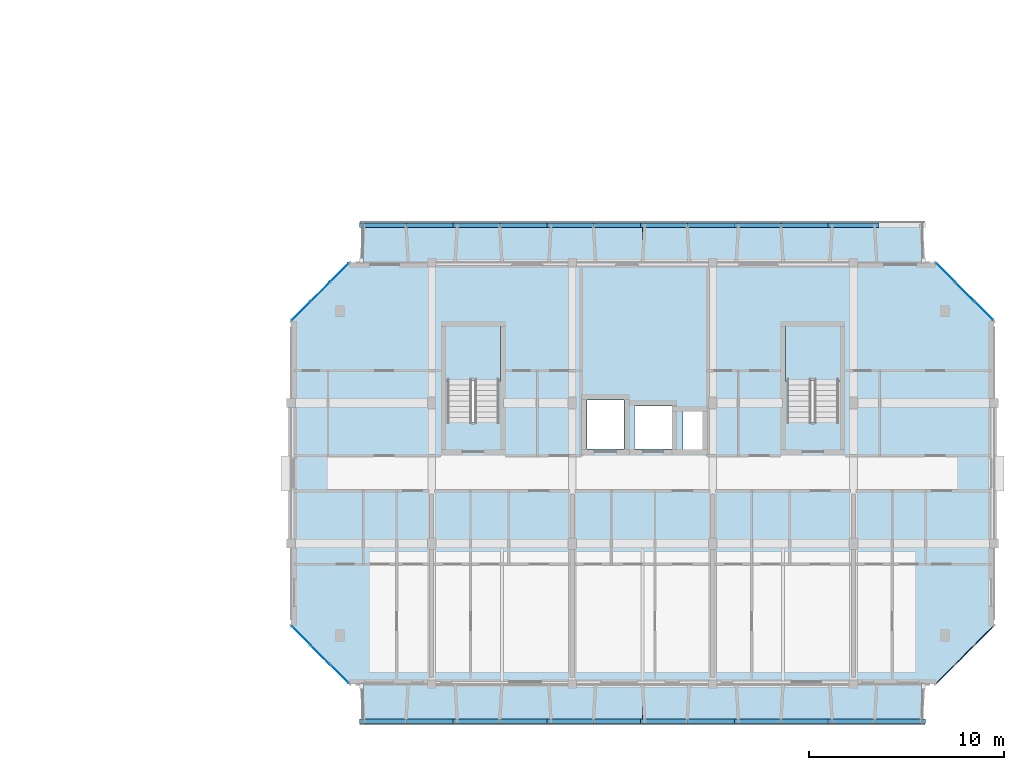
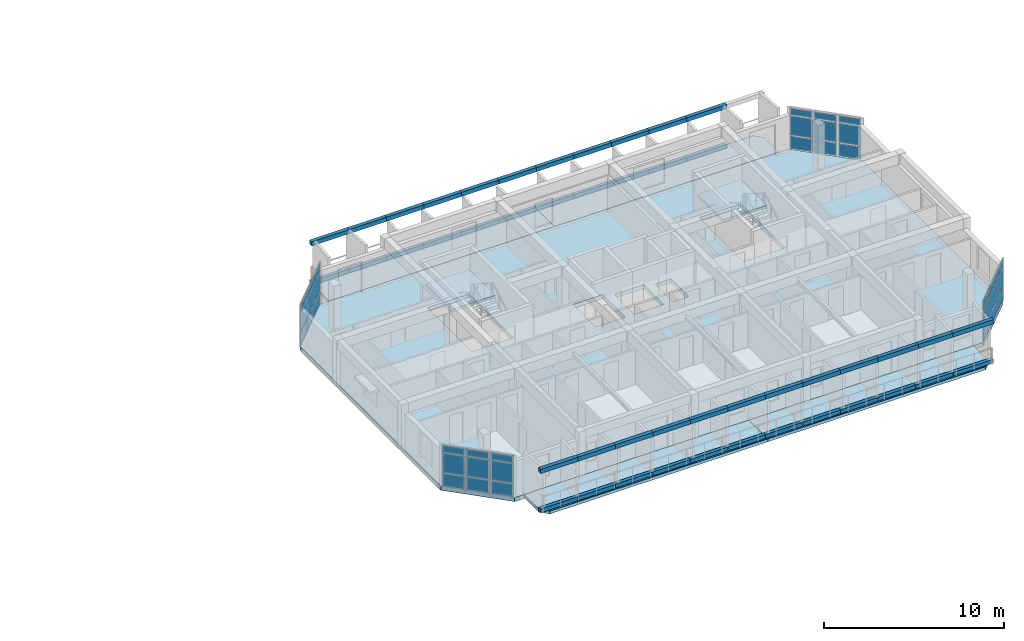
# One storey, part 10 of 31: 82 plates, 7 slabs, 6 elements without a shape of their own.
"""IFC4 building model written with IfcOpenShell, lengths in metres."""

import ifcopenshell
import ifcopenshell.guid

model = None  # the IFC model being written
_history = None  # IfcOwnerHistory: only IFC2X3 demands one
_inside = {}  # id of a spatial element -> (the spatial element, [elements in it])
_under = {}  # id of a project, library or spatial element -> (it, [spatial elements below it])
_declared = {}  # id of a project -> (the project, [libraries it declares])
_typed = {}  # id of a type object -> (the type object, [elements of that type])
_made_of = {}  # id of a material, layer set ... -> (it, [elements and type objects made of it])


def new_model(schema):
    """Start an empty IFC model of exactly this schema.

    Asked for "IFC4X3", IfcOpenShell would pick the latest addendum, in which some entities
    have other attributes; the version numbers below select the first issue.
    IFC2X3 requires an IfcOwnerHistory on every rooted entity: one is made here for all.
    """
    global model, _history
    if schema == "IFC4X3":
        model = ifcopenshell.file(schema_version=(4, 3, 0, 0))
    else:
        model = ifcopenshell.file(schema=schema)
    _inside.clear()
    _under.clear()
    _declared.clear()
    _typed.clear()
    _made_of.clear()
    _history = None
    if model.schema == "IFC2X3":
        org = make("IfcOrganization", Name="unknown")
        user = make(
            "IfcPersonAndOrganization",
            ThePerson=make("IfcPerson", FamilyName="unknown"),
            TheOrganization=org,
        )
        app = make(
            "IfcApplication",
            ApplicationDeveloper=org,
            Version="unknown",
            ApplicationFullName="unknown",
            ApplicationIdentifier="unknown",
        )
        _history = make(
            "IfcOwnerHistory",
            OwningUser=user,
            OwningApplication=app,
            ChangeAction="ADDED",
            CreationDate=0,
        )
    return model


def make(cls, **values):
    """One entity of the class cls with the attributes given. An attribute that is None is left unset."""
    return model.create_entity(
        cls, **{name: value for name, value in values.items() if value is not None}
    )


def rooted(cls, **values):
    """An entity with a GlobalId (a new one), such as an element, a storey or a relation."""
    return make(cls, GlobalId=ifcopenshell.guid.new(), OwnerHistory=_history, **values)


def si_unit(unit_type, name, prefix=None):
    """IfcSIUnit, for example si_unit("LENGTHUNIT", "METRE", prefix="MILLI")."""
    return make("IfcSIUnit", UnitType=unit_type, Prefix=prefix, Name=name)


def assignment(units):
    """IfcUnitAssignment: the units of a project."""
    return None if units is None else make("IfcUnitAssignment", Units=units)


def point(xyz):
    """IfcCartesianPoint."""
    return None if xyz is None else make("IfcCartesianPoint", Coordinates=xyz)


def direction(xyz):
    """IfcDirection."""
    return None if xyz is None else make("IfcDirection", DirectionRatios=xyz)


def frame(location, z_axis=None, x_axis=None):
    """IfcAxis2Placement3D, a coordinate frame: its origin and axes. An axis left out is left unset."""
    return make(
        "IfcAxis2Placement3D",
        Location=point(location),
        Axis=direction(z_axis),
        RefDirection=direction(x_axis),
    )


def frame_2d(location, x_axis=None):
    """IfcAxis2Placement2D, a coordinate frame in the plane: its origin and x axis."""
    return make(
        "IfcAxis2Placement2D", Location=point(location), RefDirection=direction(x_axis)
    )


def origin():
    """The frame at (0, 0, 0) with its axes left unset."""
    return frame((0.0, 0.0, 0.0))


def origin_2d():
    """The frame at (0, 0) in the plane with its x axis left unset."""
    return frame_2d((0.0, 0.0))


def place(relative_to, where):
    """IfcLocalPlacement: puts the frame where relative to a parent placement (None: the world)."""
    return make(
        "IfcLocalPlacement", PlacementRelTo=relative_to, RelativePlacement=where
    )


def context(
    kind, dimensions, precision=None, world=None, true_north=None, identifier=None
):
    """IfcGeometricRepresentationContext, for example the 3D "Model" context."""
    return make(
        "IfcGeometricRepresentationContext",
        ContextIdentifier=identifier,
        ContextType=kind,
        CoordinateSpaceDimension=dimensions,
        Precision=precision,
        WorldCoordinateSystem=world,
        TrueNorth=true_north,
    )


def subcontext(parent, identifier, kind, view, scale=None):
    """IfcGeometricRepresentationSubContext, for example "Body" below "Model"."""
    return make(
        "IfcGeometricRepresentationSubContext",
        ContextIdentifier=identifier,
        ContextType=kind,
        ParentContext=parent,
        TargetScale=scale,
        TargetView=view,
    )


def project(units=None, contexts=None):
    """IfcProject with its units and contexts."""
    return rooted(
        "IfcProject",
        Name="project",
        RepresentationContexts=contexts,
        UnitsInContext=assignment(units),
    )


def spatial(cls, under=None, at=None, **own):
    """A site, building, storey or space (cls), placed at a placement, below another one or the project."""
    s = rooted(cls, ObjectPlacement=at, **own)
    if under is not None:
        _under.setdefault(under.id(), (under, []))[1].append(s)
    return s


def polyline(points):
    """IfcPolyline through the points."""
    return make("IfcPolyline", Points=[point(p) for p in points])


def profile(cls, at=None, kind="AREA", **sizes):
    """A parametric profile (cls). Its sizes go by their IFC names, for example OverallWidth=200.0."""
    return make(cls, ProfileType=kind, Position=at, **sizes)


def rectangle(**sizes):
    """IfcRectangleProfileDef."""
    return profile("IfcRectangleProfileDef", **sizes)


def outline(outer, holes=None, kind="AREA"):
    """IfcArbitraryClosedProfileDef: a profile drawn as a closed curve; with holes, ...WithVoids."""
    if holes is None:
        return make("IfcArbitraryClosedProfileDef", ProfileType=kind, OuterCurve=outer)
    return make(
        "IfcArbitraryProfileDefWithVoids",
        ProfileType=kind,
        OuterCurve=outer,
        InnerCurves=holes,
    )


def extrude(swept, where, along, depth):
    """IfcExtrudedAreaSolid: the profile swept, set in the frame where, extruded along a direction by depth."""
    return make(
        "IfcExtrudedAreaSolid",
        SweptArea=swept,
        Position=where,
        ExtrudedDirection=direction(along),
        Depth=depth,
    )


def shape(context_of_items, identifier, shape_type, items):
    """IfcShapeRepresentation: the items that make up one representation, for example the "Body"."""
    return make(
        "IfcShapeRepresentation",
        ContextOfItems=context_of_items,
        RepresentationIdentifier=identifier,
        RepresentationType=shape_type,
        Items=items,
    )


def material(Name=None, Category=None):
    """IfcMaterial."""
    return make("IfcMaterial", Name=Name, Category=Category)


def layer(
    of_material, thickness, ventilated=None, Name=None, Category=None, Priority=None
):
    """IfcMaterialLayer: one layer of a wall or slab, of a material (None: an air gap)."""
    return make(
        "IfcMaterialLayer",
        Material=of_material,
        LayerThickness=thickness,
        IsVentilated=ventilated,
        Name=Name,
        Category=Category,
        Priority=Priority,
    )


def layer_set(layers, Name=None):
    """IfcMaterialLayerSet."""
    return make("IfcMaterialLayerSet", MaterialLayers=layers, LayerSetName=Name)


def made_of(thing, what):
    """Note that an element or type object is made of a material, layer set ...; save() writes the relation."""
    if what is not None:
        _made_of.setdefault(what.id(), (what, []))[1].append(thing)
    return thing


def type_object(cls, material=None, **own):
    """A type object (cls), such as IfcWallType, which elements share."""
    return made_of(rooted(cls, **own), material)


def element(
    cls,
    number,
    at=None,
    inside=None,
    cuts=None,
    type_object=None,
    material=None,
    context=None,
    identifier="Body",
    shape_type=None,
    held_by="IfcProductDefinitionShape",
    body=None,
    shapes=None,
    **own,
):
    """One element of the class cls, such as IfcWall. Its Tag is "e" and its number.

    at: its placement. inside: the storey or other place that contains it. cuts: it is an
    opening in that element (IfcRelVoidsElement). A single representation is given by context,
    identifier, shape_type and body (its items); several are given by shapes. held_by: the class
    of the entity that holds the representations. save() writes the other relations.
    """
    e = rooted(cls, Tag="e%d" % number, ObjectPlacement=at, **own)
    if body is not None:
        shapes = [shape(context, identifier, shape_type, body)]
    if shapes is not None:
        e.Representation = make(held_by, Representations=shapes)
    if inside is not None:
        _inside.setdefault(inside.id(), (inside, []))[1].append(e)
    if cuts is not None:
        rooted(
            "IfcRelVoidsElement", RelatingBuildingElement=cuts, RelatedOpeningElement=e
        )
    if type_object is not None:
        _typed.setdefault(type_object.id(), (type_object, []))[1].append(e)
    return made_of(e, material)


def aggregate(whole, parts):
    """IfcRelAggregates: a whole, such as a stair, and the parts it consists of."""
    return rooted("IfcRelAggregates", RelatingObject=whole, RelatedObjects=parts)


def save(model, path):
    """Write the relations noted so far, then the file.

    IfcRelAggregates (storeys below a building ...), IfcRelContainedInSpatialStructure (elements
    in a storey), IfcRelDefinesByType, IfcRelAssociatesMaterial and IfcRelDeclares: one each for
    every whole, place, type object, material and project.
    """
    for whole, parts in _under.values():
        aggregate(whole, parts)
    for where, things in _inside.values():
        rooted(
            "IfcRelContainedInSpatialStructure",
            RelatedElements=things,
            RelatingStructure=where,
        )
    for kind, things in _typed.values():
        rooted("IfcRelDefinesByType", RelatedObjects=things, RelatingType=kind)
    for what, things in _made_of.values():
        rooted("IfcRelAssociatesMaterial", RelatedObjects=things, RelatingMaterial=what)
    for by, libraries in _declared.values():
        rooted("IfcRelDeclares", RelatingContext=by, RelatedDefinitions=libraries)
    model.write(path)


model = new_model("IFC4")

# Units and contexts
model_context = context("Model", 3, precision=1e-05, world=origin(), true_north=direction((0.0, 1.0)))
body_context = subcontext(model_context, "Body", "Model", "MODEL_VIEW")
ifc_project = project(units=[si_unit("LENGTHUNIT", "METRE"), si_unit("AREAUNIT", "SQUARE_METRE"), si_unit("VOLUMEUNIT", "CUBIC_METRE"), si_unit("PLANEANGLEUNIT", "RADIAN"), si_unit("MASSUNIT", "GRAM", prefix="KILO")], contexts=[model_context])

# Site, building, storey
site_placement = place(None, origin())
site = spatial("IfcSite", under=ifc_project, at=site_placement, CompositionType="ELEMENT")
building_placement = place(site_placement, origin())
building = spatial("IfcBuilding", under=site, at=building_placement, Name="Ochrevale Crest", CompositionType="ELEMENT")
storey_placement = place(building_placement, frame((0.0, 0.0, 37.050048828125)))
storey = spatial("IfcBuildingStorey", under=building, at=storey_placement, Name="L11", CompositionType="ELEMENT", Elevation=37.050048828125)

# Curtain wall, plates
ifc_material_1 = material(Name="Anodised aluminium 6063-T5", Category="aluminium")
ifc_layer_1 = layer(ifc_material_1, 0.14990234375)
ifc_layer_set_1 = layer_set([ifc_layer_1], Name="Anodised aluminium 6063-T5")
curtain_wall_type_1 = type_object("IfcCurtainWallType", Name="CW-WG-240x285", PredefinedType="NOTDEFINED", material=ifc_layer_set_1)
curtain_wall_1_placement = place(storey_placement, origin())
curtain_wall_1 = element("IfcCurtainWall", 1, at=curtain_wall_1_placement, inside=storey, type_object=curtain_wall_type_1, Name="Block C L11 chamfered corner wintergarden curtain wall 4", PredefinedType="NOTDEFINED")
ifc_material_2 = material(Name="Double-glazed low-E insulated glass unit", Category="glass")
ifc_layer_2 = layer(ifc_material_2, 0.028076171875)
ifc_layer_set_2 = layer_set([ifc_layer_2], Name="Double-glazed low-E insulated glass unit")
plate_type_1 = type_object("IfcPlateType", Name="CW-PNL-IGU28", PredefinedType="CURTAIN_PANEL", material=ifc_layer_set_2)
plate_1_placement = place(storey_placement, frame((165.086669921875, 33.51318359375, 0.06005859375), z_axis=(0.0, 0.0, 1.0), x_axis=(-0.707106781187, 0.707106781187, 0.0)))
plate_1 = element("IfcPlate", 2, at=plate_1_placement, type_object=plate_type_1, Name="CW15 panel 1.1", PredefinedType="CURTAIN_PANEL", context=body_context, shape_type="SweptSolid", body=[
    extrude(rectangle(XDim=1.3017578125, YDim=0.028076171875, at=origin_2d()), origin(), (0.0, 0.0, 1.0), 0.860107421875),
])
plate_2_placement = place(storey_placement, frame((165.086669921875, 33.51318359375, 0.97998046875), z_axis=(0.0, 0.0, 1.0), x_axis=(-0.707106781187, 0.707106781187, 0.0)))
plate_2 = element("IfcPlate", 3, at=plate_2_placement, type_object=plate_type_1, Name="CW15 panel 1.2", PredefinedType="CURTAIN_PANEL", context=body_context, shape_type="SweptSolid", body=[
    extrude(rectangle(XDim=1.3017578125, YDim=0.028076171875, at=origin_2d()), origin(), (0.0, 0.0, 1.0), 1.31494140625),
])
plate_3_placement = place(storey_placement, frame((165.086669921875, 33.51318359375, 2.35498046875), z_axis=(0.0, 0.0, 1.0), x_axis=(-0.707106781187, 0.707106781187, 0.0)))
plate_3 = element("IfcPlate", 4, at=plate_3_placement, type_object=plate_type_1, Name="CW15 panel 1.3", PredefinedType="CURTAIN_PANEL", context=body_context, shape_type="SweptSolid", body=[
    extrude(rectangle(XDim=1.3017578125, YDim=0.028076171875, at=origin_2d()), origin(), (0.0, 0.0, 1.0), 0.4599609375),
])
plate_4_placement = place(storey_placement, frame((164.10009765625, 34.5, 0.06005859375), z_axis=(0.0, 0.0, 1.0), x_axis=(-0.707106781187, 0.707106781187, 0.0)))
plate_4 = element("IfcPlate", 5, at=plate_4_placement, type_object=plate_type_1, Name="CW15 panel 2.1", PredefinedType="CURTAIN_PANEL", context=body_context, shape_type="SweptSolid", body=[
    extrude(rectangle(XDim=1.339111328125, YDim=0.028076171875, at=origin_2d()), origin(), (0.0, 0.0, 1.0), 0.860107421875),
])
plate_5_placement = place(storey_placement, frame((164.10009765625, 34.5, 0.97998046875), z_axis=(0.0, 0.0, 1.0), x_axis=(-0.707106781187, 0.707106781187, 0.0)))
plate_5 = element("IfcPlate", 6, at=plate_5_placement, type_object=plate_type_1, Name="CW15 panel 2.2", PredefinedType="CURTAIN_PANEL", context=body_context, shape_type="SweptSolid", body=[
    extrude(rectangle(XDim=1.339111328125, YDim=0.028076171875, at=origin_2d()), origin(), (0.0, 0.0, 1.0), 1.31494140625),
])
plate_6_placement = place(storey_placement, frame((164.10009765625, 34.5, 2.35498046875), z_axis=(0.0, 0.0, 1.0), x_axis=(-0.707106781187, 0.707106781187, 0.0)))
plate_6 = element("IfcPlate", 7, at=plate_6_placement, type_object=plate_type_1, Name="CW15 panel 2.3", PredefinedType="CURTAIN_PANEL", context=body_context, shape_type="SweptSolid", body=[
    extrude(rectangle(XDim=1.339111328125, YDim=0.028076171875, at=origin_2d()), origin(), (0.0, 0.0, 1.0), 0.4599609375),
])
plate_7_placement = place(storey_placement, frame((163.11328125, 35.48681640625, 0.06005859375), z_axis=(0.0, 0.0, 1.0), x_axis=(-0.707106781187, 0.707106781187, 0.0)))
plate_7 = element("IfcPlate", 8, at=plate_7_placement, type_object=plate_type_1, Name="CW15 panel 3.1", PredefinedType="CURTAIN_PANEL", context=body_context, shape_type="SweptSolid", body=[
    extrude(rectangle(XDim=1.3017578125, YDim=0.028076171875, at=origin_2d()), origin(), (0.0, 0.0, 1.0), 0.860107421875),
])
plate_8_placement = place(storey_placement, frame((163.11328125, 35.48681640625, 0.97998046875), z_axis=(0.0, 0.0, 1.0), x_axis=(-0.707106781187, 0.707106781187, 0.0)))
plate_8 = element("IfcPlate", 9, at=plate_8_placement, type_object=plate_type_1, Name="CW15 panel 3.2", PredefinedType="CURTAIN_PANEL", context=body_context, shape_type="SweptSolid", body=[
    extrude(rectangle(XDim=1.3017578125, YDim=0.028076171875, at=origin_2d()), origin(), (0.0, 0.0, 1.0), 1.31494140625),
])
plate_9_placement = place(storey_placement, frame((163.11328125, 35.48681640625, 2.35498046875), z_axis=(0.0, 0.0, 1.0), x_axis=(-0.707106781187, 0.707106781187, 0.0)))
plate_9 = element("IfcPlate", 10, at=plate_9_placement, type_object=plate_type_1, Name="CW15 panel 3.3", PredefinedType="CURTAIN_PANEL", context=body_context, shape_type="SweptSolid", body=[
    extrude(rectangle(XDim=1.3017578125, YDim=0.028076171875, at=origin_2d()), origin(), (0.0, 0.0, 1.0), 0.4599609375),
])
aggregate(curtain_wall_1, [plate_1, plate_2, plate_3, plate_4, plate_5, plate_6, plate_7, plate_8, plate_9])

ifc_layer_3 = layer(ifc_material_1, 0.14990234375)
ifc_layer_set_3 = layer_set([ifc_layer_3], Name="Anodised aluminium 6063-T5")
curtain_wall_type_2 = type_object("IfcCurtainWallType", Name="CW-WG-320x285", PredefinedType="NOTDEFINED", material=ifc_layer_set_3)
curtain_wall_2_placement = place(storey_placement, origin())
curtain_wall_2 = element("IfcCurtainWall", 11, at=curtain_wall_2_placement, inside=storey, type_object=curtain_wall_type_2, Name="Block C L11 chamfered corner wintergarden curtain wall 6", PredefinedType="NOTDEFINED")
plate_10_placement = place(storey_placement, frame((132.086669921875, 35.48681640625, 0.06005859375), z_axis=(0.0, 0.0, 1.0), x_axis=(-0.707106781187, -0.707106781187, 0.0)))
plate_10 = element("IfcPlate", 12, at=plate_10_placement, type_object=plate_type_1, Name="CW17 panel 1.1", PredefinedType="CURTAIN_PANEL", context=body_context, shape_type="SweptSolid", body=[
    extrude(rectangle(XDim=1.3017578125, YDim=0.028076171875, at=origin_2d()), origin(), (0.0, 0.0, 1.0), 0.860107421875),
])
plate_11_placement = place(storey_placement, frame((132.086669921875, 35.48681640625, 0.97998046875), z_axis=(0.0, 0.0, 1.0), x_axis=(-0.707106781187, -0.707106781187, 0.0)))
plate_11 = element("IfcPlate", 13, at=plate_11_placement, type_object=plate_type_1, Name="CW17 panel 1.2", PredefinedType="CURTAIN_PANEL", context=body_context, shape_type="SweptSolid", body=[
    extrude(rectangle(XDim=1.3017578125, YDim=0.028076171875, at=origin_2d()), origin(), (0.0, 0.0, 1.0), 1.31494140625),
])
plate_12_placement = place(storey_placement, frame((132.086669921875, 35.48681640625, 2.35498046875), z_axis=(0.0, 0.0, 1.0), x_axis=(-0.707106781187, -0.707106781187, 0.0)))
plate_12 = element("IfcPlate", 14, at=plate_12_placement, type_object=plate_type_1, Name="CW17 panel 1.3", PredefinedType="CURTAIN_PANEL", context=body_context, shape_type="SweptSolid", body=[
    extrude(rectangle(XDim=1.3017578125, YDim=0.028076171875, at=origin_2d()), origin(), (0.0, 0.0, 1.0), 0.4599609375),
])
plate_13_placement = place(storey_placement, frame((131.10009765625, 34.5, 0.06005859375), z_axis=(0.0, 0.0, 1.0), x_axis=(-0.707106781187, -0.707106781187, 0.0)))
plate_13 = element("IfcPlate", 15, at=plate_13_placement, type_object=plate_type_1, Name="CW17 panel 2.1", PredefinedType="CURTAIN_PANEL", context=body_context, shape_type="SweptSolid", body=[
    extrude(rectangle(XDim=1.339111328125, YDim=0.028076171875, at=origin_2d()), origin(), (0.0, 0.0, 1.0), 0.860107421875),
])
plate_14_placement = place(storey_placement, frame((131.10009765625, 34.5, 0.97998046875), z_axis=(0.0, 0.0, 1.0), x_axis=(-0.707106781187, -0.707106781187, 0.0)))
plate_14 = element("IfcPlate", 16, at=plate_14_placement, type_object=plate_type_1, Name="CW17 panel 2.2", PredefinedType="CURTAIN_PANEL", context=body_context, shape_type="SweptSolid", body=[
    extrude(rectangle(XDim=1.339111328125, YDim=0.028076171875, at=origin_2d()), origin(), (0.0, 0.0, 1.0), 1.31494140625),
])
plate_15_placement = place(storey_placement, frame((131.10009765625, 34.5, 2.35498046875), z_axis=(0.0, 0.0, 1.0), x_axis=(-0.707106781187, -0.707106781187, 0.0)))
plate_15 = element("IfcPlate", 17, at=plate_15_placement, type_object=plate_type_1, Name="CW17 panel 2.3", PredefinedType="CURTAIN_PANEL", context=body_context, shape_type="SweptSolid", body=[
    extrude(rectangle(XDim=1.339111328125, YDim=0.028076171875, at=origin_2d()), origin(), (0.0, 0.0, 1.0), 0.4599609375),
])
plate_16_placement = place(storey_placement, frame((130.11328125, 33.51318359375, 0.06005859375), z_axis=(0.0, 0.0, 1.0), x_axis=(-0.707106781187, -0.707106781187, 0.0)))
plate_16 = element("IfcPlate", 18, at=plate_16_placement, type_object=plate_type_1, Name="CW17 panel 3.1", PredefinedType="CURTAIN_PANEL", context=body_context, shape_type="SweptSolid", body=[
    extrude(rectangle(XDim=1.3017578125, YDim=0.028076171875, at=origin_2d()), origin(), (0.0, 0.0, 1.0), 0.860107421875),
])
plate_17_placement = place(storey_placement, frame((130.11328125, 33.51318359375, 0.97998046875), z_axis=(0.0, 0.0, 1.0), x_axis=(-0.707106781187, -0.707106781187, 0.0)))
plate_17 = element("IfcPlate", 19, at=plate_17_placement, type_object=plate_type_1, Name="CW17 panel 3.2", PredefinedType="CURTAIN_PANEL", context=body_context, shape_type="SweptSolid", body=[
    extrude(rectangle(XDim=1.3017578125, YDim=0.028076171875, at=origin_2d()), origin(), (0.0, 0.0, 1.0), 1.31494140625),
])
plate_18_placement = place(storey_placement, frame((130.11328125, 33.51318359375, 2.35498046875), z_axis=(0.0, 0.0, 1.0), x_axis=(-0.707106781187, -0.707106781187, 0.0)))
plate_18 = element("IfcPlate", 20, at=plate_18_placement, type_object=plate_type_1, Name="CW17 panel 3.3", PredefinedType="CURTAIN_PANEL", context=body_context, shape_type="SweptSolid", body=[
    extrude(rectangle(XDim=1.3017578125, YDim=0.028076171875, at=origin_2d()), origin(), (0.0, 0.0, 1.0), 0.4599609375),
])
aggregate(curtain_wall_2, [plate_10, plate_11, plate_12, plate_13, plate_14, plate_15, plate_16, plate_17, plate_18])

ifc_layer_4 = layer(ifc_material_1, 0.14990234375)
ifc_layer_set_4 = layer_set([ifc_layer_4], Name="Anodised aluminium 6063-T5")
curtain_wall_type_3 = type_object("IfcCurtainWallType", Name="CW-WG-420x285", PredefinedType="NOTDEFINED", material=ifc_layer_set_4)
curtain_wall_3_placement = place(storey_placement, origin())
curtain_wall_3 = element("IfcCurtainWall", 21, at=curtain_wall_3_placement, inside=storey, type_object=curtain_wall_type_3, Name="Block C L11 chamfered corner wintergarden curtain wall 8", PredefinedType="NOTDEFINED")
plate_19_placement = place(storey_placement, frame((130.11328125, 16.88671875, 0.06005859375), z_axis=(0.0, 0.0, 1.0), x_axis=(0.707106781187, -0.707106781187, 0.0)))
plate_19 = element("IfcPlate", 22, at=plate_19_placement, type_object=plate_type_1, Name="CW22 panel 1.1", PredefinedType="CURTAIN_PANEL", context=body_context, shape_type="SweptSolid", body=[
    extrude(rectangle(XDim=1.3017578125, YDim=0.028076171875, at=origin_2d()), origin(), (0.0, 0.0, 1.0), 0.860107421875),
])
plate_20_placement = place(storey_placement, frame((130.11328125, 16.88671875, 0.97998046875), z_axis=(0.0, 0.0, 1.0), x_axis=(0.707106781187, -0.707106781187, 0.0)))
plate_20 = element("IfcPlate", 23, at=plate_20_placement, type_object=plate_type_1, Name="CW22 panel 1.2", PredefinedType="CURTAIN_PANEL", context=body_context, shape_type="SweptSolid", body=[
    extrude(rectangle(XDim=1.3017578125, YDim=0.028076171875, at=origin_2d()), origin(), (0.0, 0.0, 1.0), 1.31494140625),
])
plate_21_placement = place(storey_placement, frame((130.11328125, 16.88671875, 2.35498046875), z_axis=(0.0, 0.0, 1.0), x_axis=(0.707106781187, -0.707106781187, 0.0)))
plate_21 = element("IfcPlate", 24, at=plate_21_placement, type_object=plate_type_1, Name="CW22 panel 1.3", PredefinedType="CURTAIN_PANEL", context=body_context, shape_type="SweptSolid", body=[
    extrude(rectangle(XDim=1.3017578125, YDim=0.028076171875, at=origin_2d()), origin(), (0.0, 0.0, 1.0), 0.4599609375),
])
plate_22_placement = place(storey_placement, frame((131.10009765625, 15.89990234375, 0.06005859375), z_axis=(0.0, 0.0, 1.0), x_axis=(0.707106781187, -0.707106781187, 0.0)))
plate_22 = element("IfcPlate", 25, at=plate_22_placement, type_object=plate_type_1, Name="CW22 panel 2.1", PredefinedType="CURTAIN_PANEL", context=body_context, shape_type="SweptSolid", body=[
    extrude(rectangle(XDim=1.339111328125, YDim=0.028076171875, at=origin_2d()), origin(), (0.0, 0.0, 1.0), 0.860107421875),
])
plate_23_placement = place(storey_placement, frame((131.10009765625, 15.89990234375, 0.97998046875), z_axis=(0.0, 0.0, 1.0), x_axis=(0.707106781187, -0.707106781187, 0.0)))
plate_23 = element("IfcPlate", 26, at=plate_23_placement, type_object=plate_type_1, Name="CW22 panel 2.2", PredefinedType="CURTAIN_PANEL", context=body_context, shape_type="SweptSolid", body=[
    extrude(rectangle(XDim=1.339111328125, YDim=0.028076171875, at=origin_2d()), origin(), (0.0, 0.0, 1.0), 1.31494140625),
])
plate_24_placement = place(storey_placement, frame((131.10009765625, 15.89990234375, 2.35498046875), z_axis=(0.0, 0.0, 1.0), x_axis=(0.707106781187, -0.707106781187, 0.0)))
plate_24 = element("IfcPlate", 27, at=plate_24_placement, type_object=plate_type_1, Name="CW22 panel 2.3", PredefinedType="CURTAIN_PANEL", context=body_context, shape_type="SweptSolid", body=[
    extrude(rectangle(XDim=1.339111328125, YDim=0.028076171875, at=origin_2d()), origin(), (0.0, 0.0, 1.0), 0.4599609375),
])
plate_25_placement = place(storey_placement, frame((132.086669921875, 14.913330078125, 0.06005859375), z_axis=(0.0, 0.0, 1.0), x_axis=(0.707106781187, -0.707106781187, 0.0)))
plate_25 = element("IfcPlate", 28, at=plate_25_placement, type_object=plate_type_1, Name="CW22 panel 3.1", PredefinedType="CURTAIN_PANEL", context=body_context, shape_type="SweptSolid", body=[
    extrude(rectangle(XDim=1.3017578125, YDim=0.028076171875, at=origin_2d()), origin(), (0.0, 0.0, 1.0), 0.860107421875),
])
plate_26_placement = place(storey_placement, frame((132.086669921875, 14.913330078125, 0.97998046875), z_axis=(0.0, 0.0, 1.0), x_axis=(0.707106781187, -0.707106781187, 0.0)))
plate_26 = element("IfcPlate", 29, at=plate_26_placement, type_object=plate_type_1, Name="CW22 panel 3.2", PredefinedType="CURTAIN_PANEL", context=body_context, shape_type="SweptSolid", body=[
    extrude(rectangle(XDim=1.3017578125, YDim=0.028076171875, at=origin_2d()), origin(), (0.0, 0.0, 1.0), 1.31494140625),
])
plate_27_placement = place(storey_placement, frame((132.086669921875, 14.913330078125, 2.35498046875), z_axis=(0.0, 0.0, 1.0), x_axis=(0.707106781187, -0.707106781187, 0.0)))
plate_27 = element("IfcPlate", 30, at=plate_27_placement, type_object=plate_type_1, Name="CW22 panel 3.3", PredefinedType="CURTAIN_PANEL", context=body_context, shape_type="SweptSolid", body=[
    extrude(rectangle(XDim=1.3017578125, YDim=0.028076171875, at=origin_2d()), origin(), (0.0, 0.0, 1.0), 0.4599609375),
])
aggregate(curtain_wall_3, [plate_19, plate_20, plate_21, plate_22, plate_23, plate_24, plate_25, plate_26, plate_27])

ifc_layer_5 = layer(ifc_material_1, 0.14990234375)
ifc_layer_set_5 = layer_set([ifc_layer_5], Name="Anodised aluminium 6063-T5")
curtain_wall_type_4 = type_object("IfcCurtainWallType", Name="CW-WG-360x285", PredefinedType="NOTDEFINED", material=ifc_layer_set_5)
curtain_wall_4_placement = place(storey_placement, origin())
curtain_wall_4 = element("IfcCurtainWall", 31, at=curtain_wall_4_placement, inside=storey, type_object=curtain_wall_type_4, Name="Block C L11 chamfered corner wintergarden curtain wall 2", PredefinedType="NOTDEFINED")
ifc_material_3 = material(Name="Acoustic laminated low-E insulated glass unit", Category="glass")
ifc_layer_6 = layer(ifc_material_3, 0.0380859375)
ifc_layer_set_6 = layer_set([ifc_layer_6], Name="Acoustic laminated low-E insulated glass unit")
plate_type_2 = type_object("IfcPlateType", Name="CW-PNL-IGU38", PredefinedType="CURTAIN_PANEL", material=ifc_layer_set_6)
plate_28_placement = place(storey_placement, frame((163.11328125, 14.913330078125, 0.06005859375), z_axis=(0.0, 0.0, 1.0), x_axis=(0.707106781187, 0.707106781187, 0.0)))
plate_28 = element("IfcPlate", 32, at=plate_28_placement, type_object=plate_type_2, Name="CW18 panel 1.1", PredefinedType="CURTAIN_PANEL", context=body_context, shape_type="SweptSolid", body=[
    extrude(rectangle(XDim=1.3017578125, YDim=0.0380859375, at=origin_2d()), origin(), (0.0, 0.0, 1.0), 0.860107421875),
])
plate_29_placement = place(storey_placement, frame((163.11328125, 14.913330078125, 0.97998046875), z_axis=(0.0, 0.0, 1.0), x_axis=(0.707106781187, 0.707106781187, 0.0)))
plate_29 = element("IfcPlate", 33, at=plate_29_placement, type_object=plate_type_2, Name="CW18 panel 1.2", PredefinedType="CURTAIN_PANEL", context=body_context, shape_type="SweptSolid", body=[
    extrude(rectangle(XDim=1.3017578125, YDim=0.0380859375, at=origin_2d()), origin(), (0.0, 0.0, 1.0), 1.31494140625),
])
plate_30_placement = place(storey_placement, frame((163.11328125, 14.913330078125, 2.35498046875), z_axis=(0.0, 0.0, 1.0), x_axis=(0.707106781187, 0.707106781187, 0.0)))
plate_30 = element("IfcPlate", 34, at=plate_30_placement, type_object=plate_type_2, Name="CW18 panel 1.3", PredefinedType="CURTAIN_PANEL", context=body_context, shape_type="SweptSolid", body=[
    extrude(rectangle(XDim=1.3017578125, YDim=0.0380859375, at=origin_2d()), origin(), (0.0, 0.0, 1.0), 0.4599609375),
])
plate_31_placement = place(storey_placement, frame((164.10009765625, 15.89990234375, 0.06005859375), z_axis=(0.0, 0.0, 1.0), x_axis=(0.707106781187, 0.707106781187, 0.0)))
plate_31 = element("IfcPlate", 35, at=plate_31_placement, type_object=plate_type_2, Name="CW18 panel 2.1", PredefinedType="CURTAIN_PANEL", context=body_context, shape_type="SweptSolid", body=[
    extrude(rectangle(XDim=1.339111328125, YDim=0.0380859375, at=origin_2d()), origin(), (0.0, 0.0, 1.0), 0.860107421875),
])
plate_32_placement = place(storey_placement, frame((164.10009765625, 15.89990234375, 0.97998046875), z_axis=(0.0, 0.0, 1.0), x_axis=(0.707106781187, 0.707106781187, 0.0)))
plate_32 = element("IfcPlate", 36, at=plate_32_placement, type_object=plate_type_2, Name="CW18 panel 2.2", PredefinedType="CURTAIN_PANEL", context=body_context, shape_type="SweptSolid", body=[
    extrude(rectangle(XDim=1.339111328125, YDim=0.0380859375, at=origin_2d()), origin(), (0.0, 0.0, 1.0), 1.31494140625),
])
plate_33_placement = place(storey_placement, frame((164.10009765625, 15.89990234375, 2.35498046875), z_axis=(0.0, 0.0, 1.0), x_axis=(0.707106781187, 0.707106781187, 0.0)))
plate_33 = element("IfcPlate", 37, at=plate_33_placement, type_object=plate_type_2, Name="CW18 panel 2.3", PredefinedType="CURTAIN_PANEL", context=body_context, shape_type="SweptSolid", body=[
    extrude(rectangle(XDim=1.339111328125, YDim=0.0380859375, at=origin_2d()), origin(), (0.0, 0.0, 1.0), 0.4599609375),
])
plate_34_placement = place(storey_placement, frame((165.086669921875, 16.88671875, 0.06005859375), z_axis=(0.0, 0.0, 1.0), x_axis=(0.707106781187, 0.707106781187, 0.0)))
plate_34 = element("IfcPlate", 38, at=plate_34_placement, type_object=plate_type_2, Name="CW18 panel 3.1", PredefinedType="CURTAIN_PANEL", context=body_context, shape_type="SweptSolid", body=[
    extrude(rectangle(XDim=1.3017578125, YDim=0.0380859375, at=origin_2d()), origin(), (0.0, 0.0, 1.0), 0.860107421875),
])
plate_35_placement = place(storey_placement, frame((165.086669921875, 16.88671875, 0.97998046875), z_axis=(0.0, 0.0, 1.0), x_axis=(0.707106781187, 0.707106781187, 0.0)))
plate_35 = element("IfcPlate", 39, at=plate_35_placement, type_object=plate_type_2, Name="CW18 panel 3.2", PredefinedType="CURTAIN_PANEL", context=body_context, shape_type="SweptSolid", body=[
    extrude(rectangle(XDim=1.3017578125, YDim=0.0380859375, at=origin_2d()), origin(), (0.0, 0.0, 1.0), 1.31494140625),
])
plate_36_placement = place(storey_placement, frame((165.086669921875, 16.88671875, 2.35498046875), z_axis=(0.0, 0.0, 1.0), x_axis=(0.707106781187, 0.707106781187, 0.0)))
plate_36 = element("IfcPlate", 40, at=plate_36_placement, type_object=plate_type_2, Name="CW18 panel 3.3", PredefinedType="CURTAIN_PANEL", context=body_context, shape_type="SweptSolid", body=[
    extrude(rectangle(XDim=1.3017578125, YDim=0.0380859375, at=origin_2d()), origin(), (0.0, 0.0, 1.0), 0.4599609375),
])
aggregate(curtain_wall_4, [plate_28, plate_29, plate_30, plate_31, plate_32, plate_33, plate_34, plate_35, plate_36])

# Plates
ifc_material_4 = material(Name="Precast concrete C40/50", Category="concrete")
ifc_layer_7 = layer(ifc_material_4, 0.06005859375)
ifc_layer_set_7 = layer_set([ifc_layer_7], Name="Precast concrete C40/50")
plate_type_3 = type_object("IfcPlateType", Name="PLT-HC-HEAD-60", PredefinedType="USERDEFINED", material=ifc_layer_set_7)
for number, where, z_axis, x_axis, name in (
    (41, (134.39990234375, 12.5, 2.669921875), (0.0, 0.0, 1.0), (1.0, 0.0, 0.0), "Block C L11 S honeycomb arched lintel fascia 1"),
    (42, (136.800048828125, 12.5, 2.669921875), (0.0, 0.0, 1.0), (1.0, 0.0, 0.0), "Block C L11 S honeycomb arched lintel fascia 2"),
    (43, (139.199951171875, 12.5, 2.669921875), (0.0, 0.0, 1.0), (1.0, 0.0, 0.0), "Block C L11 S honeycomb arched lintel fascia 3"),
    (44, (141.60009765625, 12.5, 2.669921875), (0.0, 0.0, 1.0), (1.0, 0.0, 0.0), "Block C L11 S honeycomb arched lintel fascia 4"),
    (45, (144.0, 12.5, 2.669921875), (0.0, 0.0, 1.0), (1.0, 0.0, 0.0), "Block C L11 S honeycomb arched lintel fascia 5"),
    (46, (146.39990234375, 12.5, 2.669921875), (0.0, 0.0, 1.0), (1.0, 0.0, 0.0), "Block C L11 S honeycomb arched lintel fascia 6"),
    (47, (148.800048828125, 12.5, 2.669921875), (0.0, 0.0, 1.0), (1.0, 0.0, 0.0), "Block C L11 S honeycomb arched lintel fascia 7"),
    (48, (151.199951171875, 12.5, 2.669921875), (0.0, 0.0, 1.0), (1.0, 0.0, 0.0), "Block C L11 S honeycomb arched lintel fascia 8"),
    (49, (153.60009765625, 12.5, 2.669921875), (0.0, 0.0, 1.0), (1.0, 0.0, 0.0), "Block C L11 S honeycomb arched lintel fascia 9"),
    (50, (156.0, 12.5, 2.669921875), (0.0, 0.0, 1.0), (1.0, 0.0, 0.0), "Block C L11 S honeycomb arched lintel fascia 10"),
    (51, (158.39990234375, 12.5, 2.669921875), (0.0, 0.0, 1.0), (1.0, 0.0, 0.0), "Block C L11 S honeycomb arched lintel fascia 11"),
    (52, (160.800048828125, 12.5, 2.669921875), (0.0, 0.0, 1.0), (1.0, 0.0, 0.0), "Block C L11 S honeycomb arched lintel fascia 12"),
    (53, (134.39990234375, 37.89990234375, 2.669921875), (0.0, 0.0, 1.0), (1.0, 0.0, 0.0), "Block C L11 N honeycomb arched lintel fascia 1"),
    (54, (136.800048828125, 37.89990234375, 2.669921875), (0.0, 0.0, 1.0), (1.0, 0.0, 0.0), "Block C L11 N honeycomb arched lintel fascia 2"),
    (55, (139.199951171875, 37.89990234375, 2.669921875), (0.0, 0.0, 1.0), (1.0, 0.0, 0.0), "Block C L11 N honeycomb arched lintel fascia 3"),
    (56, (141.60009765625, 37.89990234375, 2.669921875), (0.0, 0.0, 1.0), (1.0, 0.0, 0.0), "Block C L11 N honeycomb arched lintel fascia 4"),
    (57, (144.0, 37.89990234375, 2.669921875), (0.0, 0.0, 1.0), (1.0, 0.0, 0.0), "Block C L11 N honeycomb arched lintel fascia 5"),
    (58, (146.39990234375, 37.89990234375, 2.669921875), (0.0, 0.0, 1.0), (1.0, 0.0, 0.0), "Block C L11 N honeycomb arched lintel fascia 6"),
    (59, (148.800048828125, 37.89990234375, 2.669921875), (0.0, 0.0, 1.0), (1.0, 0.0, 0.0), "Block C L11 N honeycomb arched lintel fascia 7"),
    (60, (151.199951171875, 37.89990234375, 2.669921875), (0.0, 0.0, 1.0), (1.0, 0.0, 0.0), "Block C L11 N honeycomb arched lintel fascia 8"),
    (61, (153.60009765625, 37.89990234375, 2.669921875), (0.0, 0.0, 1.0), (1.0, 0.0, 0.0), "Block C L11 N honeycomb arched lintel fascia 9"),
    (62, (156.0, 37.89990234375, 2.669921875), (0.0, 0.0, 1.0), (1.0, 0.0, 0.0), "Block C L11 N honeycomb arched lintel fascia 10"),
    (63, (158.39990234375, 37.89990234375, 2.669921875), (0.0, 0.0, 1.0), (1.0, 0.0, 0.0), "Block C L11 N honeycomb arched lintel fascia 11"),
):
    element("IfcPlate", number, at=place(storey_placement, frame(where, z_axis=z_axis, x_axis=x_axis)), inside=storey, type_object=plate_type_3, Name=name, ObjectType="FACADE FASCIA PLATE", PredefinedType="USERDEFINED", context=body_context, shape_type="SweptSolid", body=[
        extrude(rectangle(XDim=2.60009765625, YDim=0.239990234375, at=origin_2d()), origin(), (0.0, 0.0, 1.0), 0.280029296875),
    ])
ifc_layer_8 = layer(ifc_material_4, 0.044921875)
ifc_layer_set_8 = layer_set([ifc_layer_8], Name="Precast concrete C40/50")
plate_type_4 = type_object("IfcPlateType", Name="PLT-HC-SILL-45", PredefinedType="USERDEFINED", material=ifc_layer_set_8)
for number, where, z_axis, x_axis, name in (
    (64, (134.39990234375, 12.5, 0.0), (0.0, 0.0, 1.0), (1.0, 0.0, 0.0), "Block C L11 S honeycomb sill coping plate 1"),
    (65, (136.800048828125, 12.5, 0.0), (0.0, 0.0, 1.0), (1.0, 0.0, 0.0), "Block C L11 S honeycomb sill coping plate 2"),
    (66, (139.199951171875, 12.5, 0.0), (0.0, 0.0, 1.0), (1.0, 0.0, 0.0), "Block C L11 S honeycomb sill coping plate 3"),
    (67, (141.60009765625, 12.5, 0.0), (0.0, 0.0, 1.0), (1.0, 0.0, 0.0), "Block C L11 S honeycomb sill coping plate 4"),
    (68, (144.0, 12.5, 0.0), (0.0, 0.0, 1.0), (1.0, 0.0, 0.0), "Block C L11 S honeycomb sill coping plate 5"),
    (69, (146.39990234375, 12.5, 0.0), (0.0, 0.0, 1.0), (1.0, 0.0, 0.0), "Block C L11 S honeycomb sill coping plate 6"),
    (70, (148.800048828125, 12.5, 0.0), (0.0, 0.0, 1.0), (1.0, 0.0, 0.0), "Block C L11 S honeycomb sill coping plate 7"),
    (71, (151.199951171875, 12.5, 0.0), (0.0, 0.0, 1.0), (1.0, 0.0, 0.0), "Block C L11 S honeycomb sill coping plate 8"),
    (72, (153.60009765625, 12.5, 0.0), (0.0, 0.0, 1.0), (1.0, 0.0, 0.0), "Block C L11 S honeycomb sill coping plate 9"),
    (73, (156.0, 12.5, 0.0), (0.0, 0.0, 1.0), (1.0, 0.0, 0.0), "Block C L11 S honeycomb sill coping plate 10"),
    (74, (158.39990234375, 12.5, 0.0), (0.0, 0.0, 1.0), (1.0, 0.0, 0.0), "Block C L11 S honeycomb sill coping plate 11"),
    (75, (160.800048828125, 12.5, 0.0), (0.0, 0.0, 1.0), (1.0, 0.0, 0.0), "Block C L11 S honeycomb sill coping plate 12"),
    (76, (134.39990234375, 37.89990234375, 0.0), (0.0, 0.0, 1.0), (1.0, 0.0, 0.0), "Block C L11 N honeycomb sill coping plate 1"),
    (77, (136.800048828125, 37.89990234375, 0.0), (0.0, 0.0, 1.0), (1.0, 0.0, 0.0), "Block C L11 N honeycomb sill coping plate 2"),
    (78, (139.199951171875, 37.89990234375, 0.0), (0.0, 0.0, 1.0), (1.0, 0.0, 0.0), "Block C L11 N honeycomb sill coping plate 3"),
    (79, (141.60009765625, 37.89990234375, 0.0), (0.0, 0.0, 1.0), (1.0, 0.0, 0.0), "Block C L11 N honeycomb sill coping plate 4"),
    (80, (144.0, 37.89990234375, 0.0), (0.0, 0.0, 1.0), (1.0, 0.0, 0.0), "Block C L11 N honeycomb sill coping plate 5"),
    (81, (146.39990234375, 37.89990234375, 0.0), (0.0, 0.0, 1.0), (1.0, 0.0, 0.0), "Block C L11 N honeycomb sill coping plate 6"),
    (82, (148.800048828125, 37.89990234375, 0.0), (0.0, 0.0, 1.0), (1.0, 0.0, 0.0), "Block C L11 N honeycomb sill coping plate 7"),
    (83, (151.199951171875, 37.89990234375, 0.0), (0.0, 0.0, 1.0), (1.0, 0.0, 0.0), "Block C L11 N honeycomb sill coping plate 8"),
    (84, (153.60009765625, 37.89990234375, 0.0), (0.0, 0.0, 1.0), (1.0, 0.0, 0.0), "Block C L11 N honeycomb sill coping plate 9"),
    (85, (156.0, 37.89990234375, 0.0), (0.0, 0.0, 1.0), (1.0, 0.0, 0.0), "Block C L11 N honeycomb sill coping plate 10"),
    (86, (158.39990234375, 37.89990234375, 0.0), (0.0, 0.0, 1.0), (1.0, 0.0, 0.0), "Block C L11 N honeycomb sill coping plate 11"),
):
    element("IfcPlate", number, at=place(storey_placement, frame(where, z_axis=z_axis, x_axis=x_axis)), inside=storey, type_object=plate_type_4, Name=name, ObjectType="SILL COPING PLATE", PredefinedType="USERDEFINED", context=body_context, shape_type="SweptSolid", body=[
        extrude(rectangle(XDim=2.60009765625, YDim=0.219970703125, at=origin_2d()), origin(), (0.0, 0.0, 1.0), 0.260009765625),
    ])

# Slabs
ifc_layer_9 = layer(ifc_material_4, 0.199951171875)
ifc_layer_set_9 = layer_set([ifc_layer_9], Name="Precast concrete C40/50")
slab_type_1 = type_object("IfcSlabType", Name="SLB-BAL-200", PredefinedType="FLOOR", material=ifc_layer_set_9)
slab_1_placement = place(storey_placement, frame((0.0, 0.0, -0.199951171875)))
element("IfcSlab", 87, at=slab_1_placement, inside=storey, type_object=slab_type_1, Name="Block C L11 S1 precast loggia balcony slab", PredefinedType="FLOOR", context=body_context, shape_type="SweptSolid", body=[
    extrude(outline(polyline([(133.64990234375, 12.300048828125), (147.60009765625, 12.300048828125), (147.60009765625, 14.39990234375), (133.199951171875, 14.39990234375), (133.199951171875, 12.75), (133.64990234375, 12.300048828125)])), origin(), (0.0, 0.0, 1.0), 0.199951171875),
])
slab_2_placement = place(storey_placement, frame((0.0, 0.0, -0.199951171875)))
element("IfcSlab", 88, at=slab_2_placement, inside=storey, type_object=slab_type_1, Name="Block C L11 S2 precast loggia balcony slab", PredefinedType="FLOOR", context=body_context, shape_type="SweptSolid", body=[
    extrude(outline(polyline([(147.60009765625, 12.300048828125), (161.550048828125, 12.300048828125), (162.0, 12.75), (162.0, 14.39990234375), (147.60009765625, 14.39990234375), (147.60009765625, 12.300048828125)])), origin(), (0.0, 0.0, 1.0), 0.199951171875),
])
slab_3_placement = place(storey_placement, frame((0.0, 0.0, -0.199951171875)))
element("IfcSlab", 89, at=slab_3_placement, inside=storey, type_object=slab_type_1, Name="Block C L11 N1 precast loggia balcony slab", PredefinedType="FLOOR", context=body_context, shape_type="SweptSolid", body=[
    extrude(outline(polyline([(133.199951171875, 36.0), (147.60009765625, 36.0), (147.60009765625, 38.10009765625), (133.64990234375, 38.10009765625), (133.199951171875, 37.64990234375), (133.199951171875, 36.0)])), origin(), (0.0, 0.0, 1.0), 0.199951171875),
])
slab_4_placement = place(storey_placement, frame((0.0, 0.0, -0.199951171875)))
element("IfcSlab", 90, at=slab_4_placement, inside=storey, type_object=slab_type_1, Name="Block C L11 N2 precast loggia balcony slab", PredefinedType="FLOOR", context=body_context, shape_type="SweptSolid", body=[
    extrude(outline(polyline([(147.60009765625, 36.0), (162.0, 36.0), (162.0, 37.64990234375), (161.550048828125, 38.10009765625), (147.60009765625, 38.10009765625), (147.60009765625, 36.0)])), origin(), (0.0, 0.0, 1.0), 0.199951171875),
])
ifc_layer_10 = layer(ifc_material_4, 0.27490234375)
ifc_layer_set_10 = layer_set([ifc_layer_10], Name="Precast concrete C40/50")
slab_type_2 = type_object("IfcSlabType", Name="SLB-RES-275", PredefinedType="FLOOR", material=ifc_layer_set_10)
slab_5_placement = place(storey_placement, frame((0.0, 0.0, -0.275146484375)))
element("IfcSlab", 91, at=slab_5_placement, inside=storey, type_object=slab_type_2, Name="Block C L11 composite hollowcore floor slab", PredefinedType="FLOOR", context=body_context, shape_type="SweptSolid", body=[
    extrude(outline(polyline([(132.60009765625, 14.39990234375), (162.60009765625, 14.39990234375), (165.60009765625, 17.39990234375), (165.60009765625, 33.0), (162.60009765625, 36.0), (132.60009765625, 36.0), (129.60009765625, 33.0), (129.60009765625, 17.39990234375), (132.60009765625, 14.39990234375)]), holes=[polyline([(140.25, 27.824951171875), (140.25, 32.72509765625), (137.60009765625, 32.72509765625), (137.60009765625, 27.824951171875), (140.25, 27.824951171875)]), polyline([(157.64990234375, 27.824951171875), (157.64990234375, 32.72509765625), (155.0, 32.72509765625), (155.0, 27.824951171875), (157.64990234375, 27.824951171875)]), polyline([(144.75, 26.449951171875), (146.64990234375, 26.449951171875), (146.64990234375, 28.949951171875), (144.75, 28.949951171875), (144.75, 26.449951171875)]), polyline([(147.199951171875, 26.449951171875), (149.10009765625, 26.449951171875), (149.10009765625, 28.64990234375), (147.199951171875, 28.64990234375), (147.199951171875, 26.449951171875)]), polyline([(149.669921875, 26.419921875), (150.679931640625, 26.419921875), (150.679931640625, 28.3798828125), (149.669921875, 28.3798828125), (149.669921875, 26.419921875)])]), origin(), (0.0, 0.0, 1.0), 0.275146484375),
])

# Stair, slab
stair_type = type_object("IfcStairType", Name="ST-CORE-DOG", PredefinedType="HALF_TURN_STAIR", material=ifc_material_4)
stair_1_placement = place(storey_placement, origin())
stair_1 = element("IfcStair", 92, at=stair_1_placement, inside=storey, type_object=stair_type, Name="L11 Block C Fire Stair 1", PredefinedType="HALF_TURN_STAIR")
ifc_layer_11 = layer(ifc_material_4, 0.199951171875)
ifc_layer_set_11 = layer_set([ifc_layer_11], Name="Precast concrete C40/50")
slab_type_3 = type_object("IfcSlabType", Name="SLB-ST-LAND", PredefinedType="LANDING", material=ifc_layer_set_11)
slab_6_placement = place(storey_placement, frame((0.0, 0.0, 1.375)))
slab_6 = element("IfcSlab", 93, at=slab_6_placement, type_object=slab_type_3, Name="ST-C1 landing 1", PredefinedType="LANDING", context=body_context, shape_type="SweptSolid", body=[
    extrude(outline(polyline([(140.330078125, 29.93505859375), (140.330078125, 32.804931640625), (137.52001953125, 32.804931640625), (137.52001953125, 29.93505859375), (140.330078125, 29.93505859375)])), origin(), (0.0, 0.0, 1.0), 0.199951171875),
])
aggregate(stair_1, [slab_6])

stair_2_placement = place(storey_placement, origin())
stair_2 = element("IfcStair", 94, at=stair_2_placement, inside=storey, type_object=stair_type, Name="L11 Block C Fire Stair 2", PredefinedType="HALF_TURN_STAIR")
slab_7_placement = place(storey_placement, frame((0.0, 0.0, 1.375)))
slab_7 = element("IfcSlab", 95, at=slab_7_placement, type_object=slab_type_3, Name="ST-C2 landing 1", PredefinedType="LANDING", context=body_context, shape_type="SweptSolid", body=[
    extrude(outline(polyline([(157.72998046875, 29.93505859375), (157.72998046875, 32.804931640625), (154.919921875, 32.804931640625), (154.919921875, 29.93505859375), (157.72998046875, 29.93505859375)])), origin(), (0.0, 0.0, 1.0), 0.199951171875),
])
aggregate(stair_2, [slab_7])

save(model, "model.ifc")
